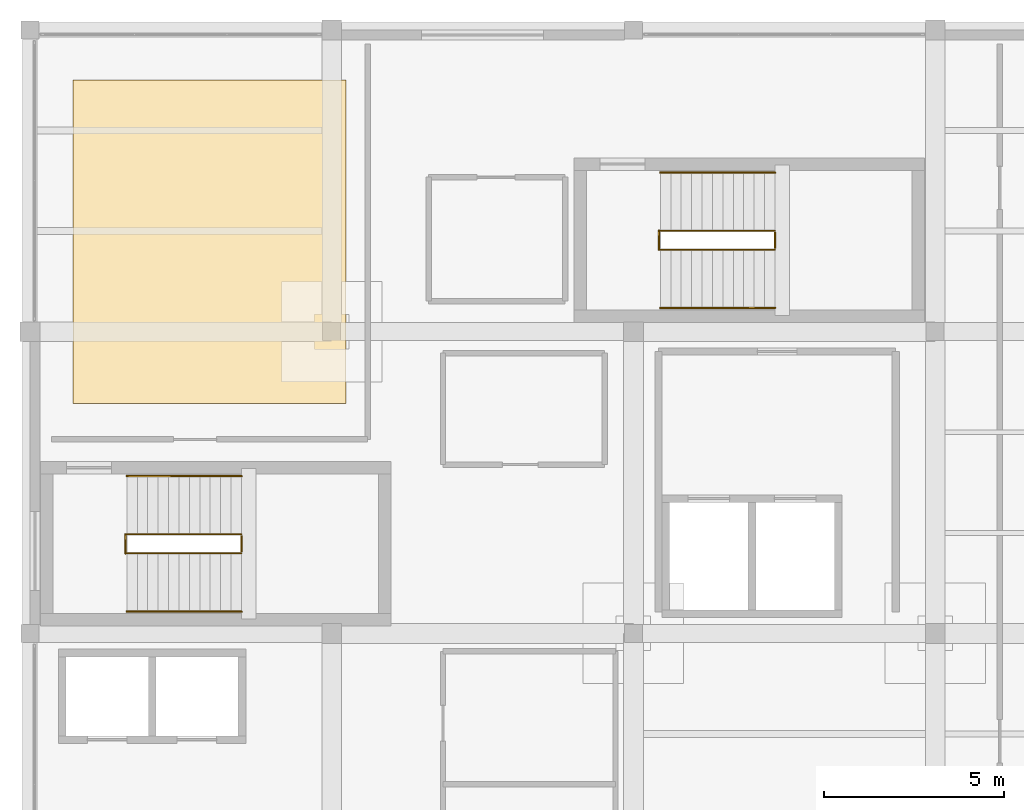
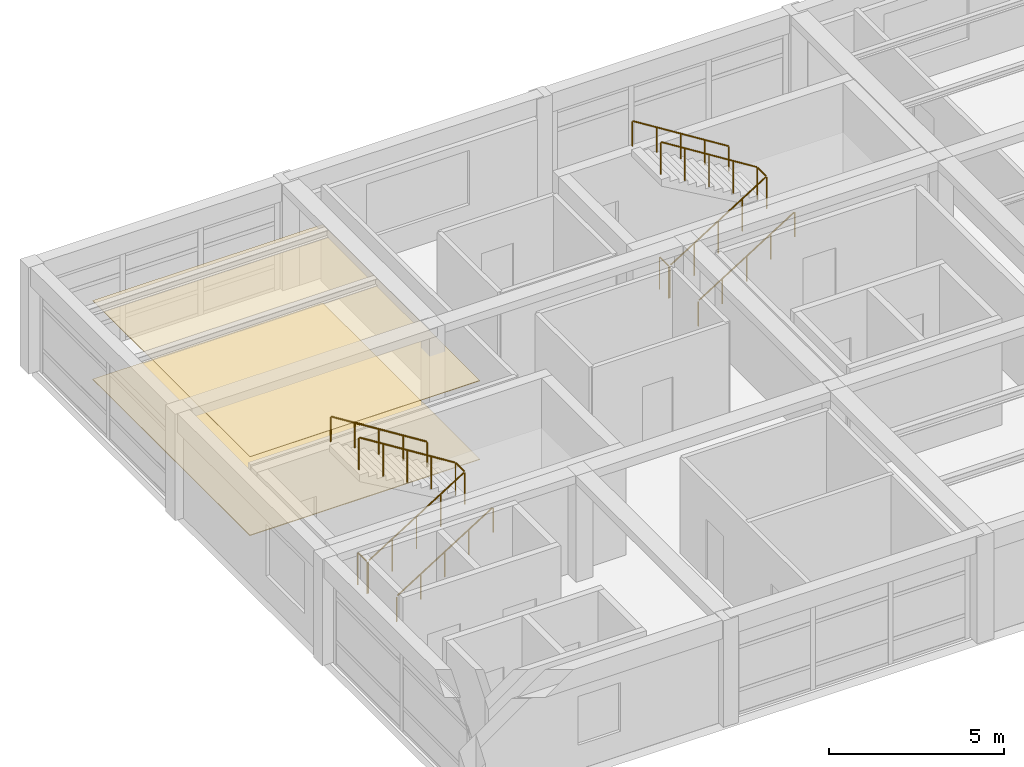
# One storey, part 20 of 20: 8 railings, 2 coverings.
"""IFC4 building model written with IfcOpenShell, lengths in metres."""

from ifc_helpers import new_model, si_unit, direction, frame, origin, origin_2d, place, context, subcontext, project, spatial, polyline, circle, outline, extrude, material, layer, layer_set, type_object, element, save


model = new_model("IFC4")

# Units and contexts
model_context = context("Model", 3, precision=1e-05, world=origin(), true_north=direction((0.0, 1.0)))
body_context = subcontext(model_context, "Body", "Model", "MODEL_VIEW")
ifc_project = project(units=[si_unit("LENGTHUNIT", "METRE"), si_unit("AREAUNIT", "SQUARE_METRE"), si_unit("VOLUMEUNIT", "CUBIC_METRE"), si_unit("PLANEANGLEUNIT", "RADIAN"), si_unit("MASSUNIT", "GRAM", prefix="KILO")], contexts=[model_context])

# Site, building, storey
site_placement = place(None, origin())
site = spatial("IfcSite", under=ifc_project, at=site_placement, CompositionType="ELEMENT")
building_placement = place(site_placement, origin())
building = spatial("IfcBuilding", under=site, at=building_placement, Name="Almacenes y Pasaje Nevantli", CompositionType="ELEMENT")
storey_placement = place(building_placement, frame((0.0, 0.0, 62.699951171875)))
storey = spatial("IfcBuildingStorey", under=building, at=storey_placement, Name="L15", CompositionType="ELEMENT", Elevation=62.699951171875)

# Coverings
ifc_material_1 = material(Name="Perforated Acoustic Mineral Fiber Ceiling", Category="gypsum")
ifc_layer_1 = layer(ifc_material_1, 0.02001953125)
ifc_layer_set_1 = layer_set([ifc_layer_1], Name="Perforated Acoustic Mineral Fiber Ceiling")
covering_type_1 = type_object("IfcCoveringType", Name="COV-CEIL-ACU", PredefinedType="CEILING", material=ifc_layer_set_1)
covering_1_placement = place(storey_placement, frame((0.0, 0.0, 2.75)))
element("IfcCovering", 1, at=covering_1_placement, inside=storey, type_object=covering_type_1, Name="L15 Suspended Acoustic Ceiling Panel", PredefinedType="CEILING", context=body_context, shape_type="SweptSolid", body=[
    extrude(outline(polyline([(118.800048828125, 82.0), (126.39990234375, 82.0), (126.39990234375, 91.0), (118.800048828125, 91.0), (118.800048828125, 82.0)])), origin(), (0.0, 0.0, 1.0), 0.02001953125),
])
ifc_material_2 = material(Name="Polished Toluca Stone Terrazzo Flooring", Category="masonry")
ifc_layer_2 = layer(ifc_material_2, 0.02490234375)
ifc_layer_set_2 = layer_set([ifc_layer_2], Name="Polished Toluca Stone Terrazzo Flooring")
covering_type_2 = type_object("IfcCoveringType", Name="COV-FLR-TERRAZZO", PredefinedType="FLOORING", material=ifc_layer_set_2)
covering_2_placement = place(storey_placement, origin())
element("IfcCovering", 2, at=covering_2_placement, inside=storey, type_object=covering_type_2, Name="L15 Polished Stone Terrazzo Floor Finish", PredefinedType="FLOORING", context=body_context, shape_type="SweptSolid", body=[
    extrude(outline(polyline([(118.800048828125, 82.0), (126.39990234375, 82.0), (126.39990234375, 91.0), (118.800048828125, 91.0), (118.800048828125, 82.0)])), origin(), (0.0, 0.0, 1.0), 0.025146484375),
])

# Railings
ifc_material_3 = material(Name="Brushed Stainless Steel and Tempered Safety Glass", Category="steel")
railing_type_1 = type_object("IfcRailingType", Name="RL-GUARD-1100", PredefinedType="BALUSTRADE", material=ifc_material_3)
railing_1_placement = place(storey_placement, frame((120.300048828125, 77.830078125, 0.0)))
element("IfcRailing", 3, at=railing_1_placement, inside=storey, type_object=railing_type_1, Name="L15 Stair ST-01 Inner Well Guard Balustrade", PredefinedType="BALUSTRADE", context=body_context, shape_type="SweptSolid", body=[
    extrude(circle(Radius=0.02392578125, at=origin_2d()), frame((0.025390625, 0.0, 1.141845703125), z_axis=(0.847247016309, 0.0, 0.531199108955), x_axis=(0.0, 1.0, 0.0)), (0.0, 0.0, 1.0), 3.705078125),
    extrude(circle(Radius=0.02392578125, at=origin_2d()), frame((3.18994140625, 0.030029296875, 3.1259765625), z_axis=(0.0, 1.0, 0.0), x_axis=(-1.0, 0.0, 0.0)), (0.0, 0.0, 1.0), 0.469970703125),
    extrude(circle(Radius=0.02392578125, at=origin_2d()), frame((3.16455078125, 0.530029296875, 3.141845703125), z_axis=(-0.847247016309, 0.0, 0.531199108955), x_axis=(0.0, -1.0, 0.0)), (0.0, 0.0, 1.0), 3.705078125),
    extrude(circle(Radius=0.02099609375, at=origin_2d()), origin(), (0.0, 0.0, 1.0), 1.096923828125),
    extrude(circle(Radius=0.02099609375, at=origin_2d()), frame((0.79736328125, 0.0, 0.5)), (0.0, 0.0, 1.0), 1.096923828125),
    extrude(circle(Radius=0.02099609375, at=origin_2d()), frame((1.594970703125, 0.0, 1.0)), (0.0, 0.0, 1.0), 1.096923828125),
    extrude(circle(Radius=0.02099609375, at=origin_2d()), frame((2.392578125, 0.0, 1.5)), (0.0, 0.0, 1.0), 1.096923828125),
    extrude(circle(Radius=0.02099609375, at=origin_2d()), frame((3.18994140625, 0.0, 2.0)), (0.0, 0.0, 1.0), 1.096923828125),
    extrude(circle(Radius=0.02099609375, at=origin_2d()), frame((3.18994140625, 0.530029296875, 2.0)), (0.0, 0.0, 1.0), 1.096923828125),
    extrude(circle(Radius=0.02099609375, at=origin_2d()), frame((2.392578125, 0.530029296875, 2.5)), (0.0, 0.0, 1.0), 1.096923828125),
    extrude(circle(Radius=0.02099609375, at=origin_2d()), frame((1.594970703125, 0.530029296875, 3.0)), (0.0, 0.0, 1.0), 1.096923828125),
    extrude(circle(Radius=0.02099609375, at=origin_2d()), frame((0.79736328125, 0.530029296875, 3.5)), (0.0, 0.0, 1.0), 1.096923828125),
    extrude(circle(Radius=0.02099609375, at=origin_2d()), frame((0.0, 0.530029296875, 4.0)), (0.0, 0.0, 1.0), 1.096923828125),
])
railing_2_placement = place(storey_placement, frame((120.260009765625, 77.830078125, 0.0)))
element("IfcRailing", 4, at=railing_2_placement, inside=storey, type_object=railing_type_1, Name="L15 Stair ST-01 Landing Well Slot Guard", PredefinedType="BALUSTRADE", context=body_context, shape_type="SweptSolid", body=[
    extrude(circle(Radius=0.02392578125, at=origin_2d()), frame((0.0, 0.030029296875, 1.1259765625), z_axis=(0.0, 1.0, 0.0), x_axis=(-1.0, 0.0, 0.0)), (0.0, 0.0, 1.0), 0.469970703125),
    extrude(circle(Radius=0.02099609375, at=origin_2d()), origin(), (0.0, 0.0, 1.0), 1.096923828125),
    extrude(circle(Radius=0.02099609375, at=origin_2d()), frame((0.0, 0.530029296875, 0.0)), (0.0, 0.0, 1.0), 1.096923828125),
])
railing_3_placement = place(storey_placement, frame((135.14990234375, 86.280029296875, 0.0)))
element("IfcRailing", 5, at=railing_3_placement, inside=storey, type_object=railing_type_1, Name="L15 Stair ST-02 Inner Well Guard Balustrade", PredefinedType="BALUSTRADE", context=body_context, shape_type="SweptSolid", body=[
    extrude(circle(Radius=0.02392578125, at=origin_2d()), frame((0.025390625, 0.0, 1.141845703125), z_axis=(0.847265311894, 0.0, 0.531169926918), x_axis=(0.0, 1.0, 0.0)), (0.0, 0.0, 1.0), 3.705322265625),
    extrude(circle(Radius=0.02392578125, at=origin_2d()), frame((3.190185546875, 0.030029296875, 3.1259765625), z_axis=(0.0, 1.0, 0.0), x_axis=(-1.0, 0.0, 0.0)), (0.0, 0.0, 1.0), 0.469970703125),
    extrude(circle(Radius=0.02392578125, at=origin_2d()), frame((3.164794921875, 0.530029296875, 3.141845703125), z_axis=(-0.847265311894, 0.0, 0.531169926918), x_axis=(0.0, -1.0, 0.0)), (0.0, 0.0, 1.0), 3.705322265625),
    extrude(circle(Radius=0.02099609375, at=origin_2d()), origin(), (0.0, 0.0, 1.0), 1.096923828125),
    extrude(circle(Radius=0.02099609375, at=origin_2d()), frame((0.797607421875, 0.0, 0.5)), (0.0, 0.0, 1.0), 1.096923828125),
    extrude(circle(Radius=0.02099609375, at=origin_2d()), frame((1.59521484375, 0.0, 1.0)), (0.0, 0.0, 1.0), 1.096923828125),
    extrude(circle(Radius=0.02099609375, at=origin_2d()), frame((2.392578125, 0.0, 1.5)), (0.0, 0.0, 1.0), 1.096923828125),
    extrude(circle(Radius=0.02099609375, at=origin_2d()), frame((3.190185546875, 0.0, 2.0)), (0.0, 0.0, 1.0), 1.096923828125),
    extrude(circle(Radius=0.02099609375, at=origin_2d()), frame((3.190185546875, 0.530029296875, 2.0)), (0.0, 0.0, 1.0), 1.096923828125),
    extrude(circle(Radius=0.02099609375, at=origin_2d()), frame((2.392578125, 0.530029296875, 2.5)), (0.0, 0.0, 1.0), 1.096923828125),
    extrude(circle(Radius=0.02099609375, at=origin_2d()), frame((1.59521484375, 0.530029296875, 3.0)), (0.0, 0.0, 1.0), 1.096923828125),
    extrude(circle(Radius=0.02099609375, at=origin_2d()), frame((0.797607421875, 0.530029296875, 3.5)), (0.0, 0.0, 1.0), 1.096923828125),
    extrude(circle(Radius=0.02099609375, at=origin_2d()), frame((0.0, 0.530029296875, 4.0)), (0.0, 0.0, 1.0), 1.096923828125),
])
railing_4_placement = place(storey_placement, frame((135.110107421875, 86.280029296875, 0.0)))
element("IfcRailing", 6, at=railing_4_placement, inside=storey, type_object=railing_type_1, Name="L15 Stair ST-02 Landing Well Slot Guard", PredefinedType="BALUSTRADE", context=body_context, shape_type="SweptSolid", body=[
    extrude(circle(Radius=0.02392578125, at=origin_2d()), frame((0.0, 0.030029296875, 1.1259765625), z_axis=(0.0, 1.0, 0.0), x_axis=(-1.0, 0.0, 0.0)), (0.0, 0.0, 1.0), 0.469970703125),
    extrude(circle(Radius=0.02099609375, at=origin_2d()), origin(), (0.0, 0.0, 1.0), 1.096923828125),
    extrude(circle(Radius=0.02099609375, at=origin_2d()), frame((0.0, 0.530029296875, 0.0)), (0.0, 0.0, 1.0), 1.096923828125),
])
ifc_material_4 = material(Name="Brushed Stainless Steel Tube", Category="steel")
railing_type_2 = type_object("IfcRailingType", Name="RL-HANDRAIL-900", PredefinedType="HANDRAIL", material=ifc_material_4)
railing_5_placement = place(storey_placement, frame((120.300048828125, 76.2099609375, 0.0)))
element("IfcRailing", 7, at=railing_5_placement, inside=storey, type_object=railing_type_2, Name="L15 Stair ST-01 Lower Flight Handrail", PredefinedType="HANDRAIL", context=body_context, shape_type="SweptSolid", body=[
    extrude(circle(Radius=0.02392578125, at=origin_2d()), frame((0.025390625, 0.0, 0.891845703125), z_axis=(0.847247016309, 0.0, 0.531199108955), x_axis=(0.0, 1.0, 0.0)), (0.0, 0.0, 1.0), 3.705078125),
    extrude(circle(Radius=0.02099609375, at=origin_2d()), origin(), (0.0, 0.0, 1.0), 0.846923828125),
    extrude(circle(Radius=0.02099609375, at=origin_2d()), frame((0.79736328125, 0.0, 0.5)), (0.0, 0.0, 1.0), 0.846923828125),
    extrude(circle(Radius=0.02099609375, at=origin_2d()), frame((1.594970703125, 0.0, 1.0)), (0.0, 0.0, 1.0), 0.846923828125),
    extrude(circle(Radius=0.02099609375, at=origin_2d()), frame((2.392578125, 0.0, 1.5)), (0.0, 0.0, 1.0), 0.846923828125),
    extrude(circle(Radius=0.02099609375, at=origin_2d()), frame((3.18994140625, 0.0, 2.0)), (0.0, 0.0, 1.0), 0.846923828125),
])
railing_6_placement = place(storey_placement, frame((123.489990234375, 79.97998046875, 2.0)))
element("IfcRailing", 8, at=railing_6_placement, inside=storey, type_object=railing_type_2, Name="L15 Stair ST-01 Upper Flight Handrail", PredefinedType="HANDRAIL", context=body_context, shape_type="SweptSolid", body=[
    extrude(circle(Radius=0.02392578125, at=origin_2d()), frame((-0.025390625, 0.0, 0.891845703125), z_axis=(-0.847247016309, 0.0, 0.531199108955), x_axis=(0.0, -1.0, 0.0)), (0.0, 0.0, 1.0), 3.705078125),
    extrude(circle(Radius=0.02099609375, at=origin_2d()), origin(), (0.0, 0.0, 1.0), 0.846923828125),
    extrude(circle(Radius=0.02099609375, at=origin_2d()), frame((-0.79736328125, 0.0, 0.5)), (0.0, 0.0, 1.0), 0.846923828125),
    extrude(circle(Radius=0.02099609375, at=origin_2d()), frame((-1.594970703125, 0.0, 1.0)), (0.0, 0.0, 1.0), 0.846923828125),
    extrude(circle(Radius=0.02099609375, at=origin_2d()), frame((-2.392578125, 0.0, 1.5)), (0.0, 0.0, 1.0), 0.846923828125),
    extrude(circle(Radius=0.02099609375, at=origin_2d()), frame((-3.18994140625, 0.0, 2.0)), (0.0, 0.0, 1.0), 0.846923828125),
])
railing_7_placement = place(storey_placement, frame((135.14990234375, 84.659912109375, 0.0)))
element("IfcRailing", 9, at=railing_7_placement, inside=storey, type_object=railing_type_2, Name="L15 Stair ST-02 Lower Flight Handrail", PredefinedType="HANDRAIL", context=body_context, shape_type="SweptSolid", body=[
    extrude(circle(Radius=0.02392578125, at=origin_2d()), frame((0.025390625, 0.0, 0.891845703125), z_axis=(0.847265311894, 0.0, 0.531169926918), x_axis=(0.0, 1.0, 0.0)), (0.0, 0.0, 1.0), 3.705322265625),
    extrude(circle(Radius=0.02099609375, at=origin_2d()), origin(), (0.0, 0.0, 1.0), 0.846923828125),
    extrude(circle(Radius=0.02099609375, at=origin_2d()), frame((0.797607421875, 0.0, 0.5)), (0.0, 0.0, 1.0), 0.846923828125),
    extrude(circle(Radius=0.02099609375, at=origin_2d()), frame((1.59521484375, 0.0, 1.0)), (0.0, 0.0, 1.0), 0.846923828125),
    extrude(circle(Radius=0.02099609375, at=origin_2d()), frame((2.392578125, 0.0, 1.5)), (0.0, 0.0, 1.0), 0.846923828125),
    extrude(circle(Radius=0.02099609375, at=origin_2d()), frame((3.190185546875, 0.0, 2.0)), (0.0, 0.0, 1.0), 0.846923828125),
])
railing_8_placement = place(storey_placement, frame((138.340087890625, 88.429931640625, 2.0)))
element("IfcRailing", 10, at=railing_8_placement, inside=storey, type_object=railing_type_2, Name="L15 Stair ST-02 Upper Flight Handrail", PredefinedType="HANDRAIL", context=body_context, shape_type="SweptSolid", body=[
    extrude(circle(Radius=0.02392578125, at=origin_2d()), frame((-0.025390625, 0.0, 0.891845703125), z_axis=(-0.847265311894, 0.0, 0.531169926918), x_axis=(0.0, -1.0, 0.0)), (0.0, 0.0, 1.0), 3.705322265625),
    extrude(circle(Radius=0.02099609375, at=origin_2d()), origin(), (0.0, 0.0, 1.0), 0.846923828125),
    extrude(circle(Radius=0.02099609375, at=origin_2d()), frame((-0.797607421875, 0.0, 0.5)), (0.0, 0.0, 1.0), 0.846923828125),
    extrude(circle(Radius=0.02099609375, at=origin_2d()), frame((-1.59521484375, 0.0, 1.0)), (0.0, 0.0, 1.0), 0.846923828125),
    extrude(circle(Radius=0.02099609375, at=origin_2d()), frame((-2.392578125, 0.0, 1.5)), (0.0, 0.0, 1.0), 0.846923828125),
    extrude(circle(Radius=0.02099609375, at=origin_2d()), frame((-3.190185546875, 0.0, 2.0)), (0.0, 0.0, 1.0), 0.846923828125),
])

save(model, "model.ifc")
